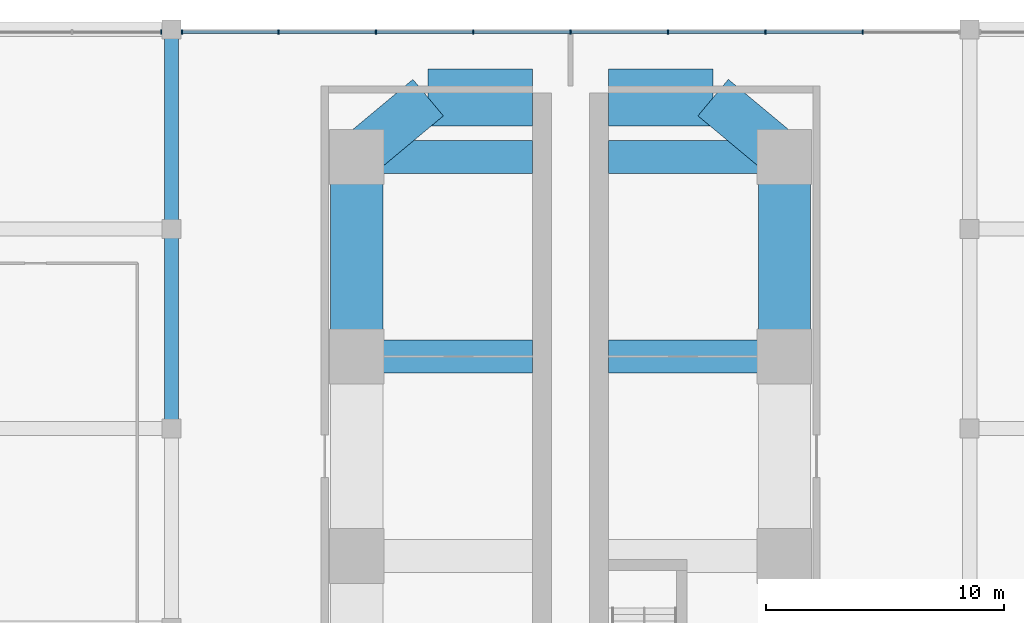
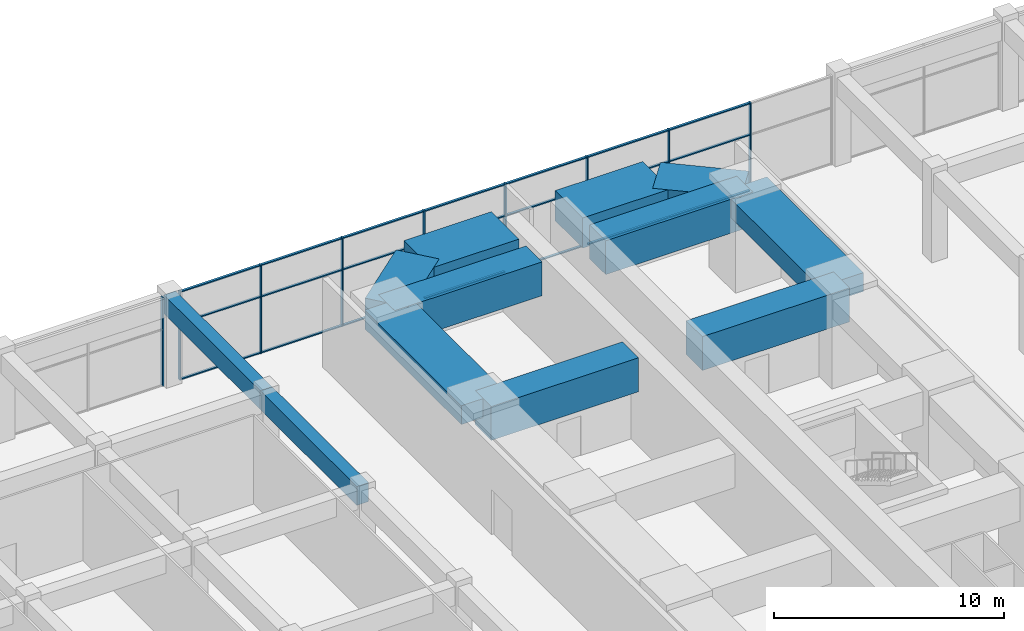
# One storey, part 20 of 34: 30 members, 12 beams, 2 elements without a shape of their own.
"""IFC4 building model written with IfcOpenShell, lengths in metres."""

from ifc_helpers import new_model, si_unit, direction, frame, origin, origin_2d, place, context, subcontext, project, spatial, rectangle, extrude, material, material_profile, profile_set, type_object, element, aggregate, save


model = new_model("IFC4")

# Units and contexts
model_context = context("Model", 3, precision=1e-05, world=origin(), true_north=direction((0.0, 1.0)))
body_context = subcontext(model_context, "Body", "Model", "MODEL_VIEW")
ifc_project = project(units=[si_unit("LENGTHUNIT", "METRE"), si_unit("AREAUNIT", "SQUARE_METRE"), si_unit("VOLUMEUNIT", "CUBIC_METRE"), si_unit("PLANEANGLEUNIT", "RADIAN"), si_unit("MASSUNIT", "GRAM", prefix="KILO")], contexts=[model_context])

# Site, building, storey
site_placement = place(None, origin())
site = spatial("IfcSite", under=ifc_project, at=site_placement, CompositionType="ELEMENT")
building_placement = place(site_placement, origin())
building = spatial("IfcBuilding", under=site, at=building_placement, Name="Impinga Residences", CompositionType="ELEMENT")
storey_placement = place(building_placement, frame((0.0, 0.0, 16.0)))
storey = spatial("IfcBuildingStorey", under=building, at=storey_placement, Name="L03", CompositionType="ELEMENT", Elevation=16.0)

# Beams
ifc_material_1 = material(Name="Concrete C60/75", Category="concrete")
ifc_material_profile_1 = material_profile(ifc_material_1, rectangle(XDim=2.0, YDim=1.60009765625, at=origin_2d()), Name="RC 2000x1600")
ifc_profile_set_1 = profile_set([ifc_material_profile_1], Name="Concrete C60/75")
beam_type_1 = type_object("IfcBeamType", Name="CB2 2000x1600 wing end cantilever beam", PredefinedType="BEAM", material=ifc_profile_set_1)
for number, where, z_axis, x_axis, name in (
    (1, (-9.0, 45.031494140625, 3.89990234375), (0.768221279597, 0.640184399664, 0.0), (-0.640184399664, 0.768221279597, 0.0), "Beam CB2 NB N5-NX level L04"),
    (2, (9.0, 45.031494140625, 3.89990234375), (-0.768221279597, 0.640184399664, 0.0), (-0.640184399664, -0.768221279597, 0.0), "Beam CB2 NE N5-NX level L04"),
):
    element("IfcBeam", number, at=place(storey_placement, frame(where, z_axis=z_axis, x_axis=x_axis)), inside=storey, type_object=beam_type_1, Name=name, PredefinedType="BEAM", context=body_context, shape_type="SweptSolid", body=[
        extrude(rectangle(XDim=2.0, YDim=1.60009765625, at=origin_2d()), origin(), (0.0, 0.0, 1.0), 3.905029296875),
    ])
ifc_material_profile_2 = material_profile(ifc_material_1, rectangle(XDim=1.39990234375, YDim=1.800048828125, at=origin_2d()), Name="RC 1400x1800")
ifc_profile_set_2 = profile_set([ifc_material_profile_2], Name="Concrete C60/75")
beam_type_2 = type_object("IfcBeamType", Name="CG4 1400x1800 cross girder on a wing bay line under the podium floors", PredefinedType="BEAM", material=ifc_profile_set_2)
for number, where, z_axis, x_axis, name in (
    (3, (-1.60009765625, 36.631591796875, 3.800048828125), (-1.0, 0.0, 0.0), (0.0, -1.0, 0.0), "Beam CG4 N4 NC/NA level L04"),
    (4, (-1.60009765625, 45.031494140625, 3.800048828125), (-1.0, 0.0, 0.0), (0.0, -1.0, 0.0), "Beam CG4 N5 NC/NA level L04"),
    (5, (1.60009765625, 36.631591796875, 3.800048828125), (1.0, 0.0, 0.0), (0.0, 1.0, 0.0), "Beam CG4 N4 NC/NF level L04"),
    (6, (1.60009765625, 45.031494140625, 3.800048828125), (1.0, 0.0, 0.0), (0.0, 1.0, 0.0), "Beam CG4 N5 NC/NF level L04"),
):
    element("IfcBeam", number, at=place(storey_placement, frame(where, z_axis=z_axis, x_axis=x_axis)), inside=storey, type_object=beam_type_2, Name=name, PredefinedType="BEAM", context=body_context, shape_type="SweptSolid", body=[
        extrude(rectangle(XDim=1.39990234375, YDim=1.800048828125, at=origin_2d()), origin(), (0.0, 0.0, 1.0), 7.39990234375),
    ])

# Curtain wall, member
ifc_material_2 = material(Name="Aluminium stick curtain wall", Category="aluminium")
curtain_wall_type = type_object("IfcCurtainWallType", Name="CW1 podium amenity curtain wall", PredefinedType="USERDEFINED", material=ifc_material_2)
curtain_wall_1_placement = place(storey_placement, origin())
curtain_wall_1 = element("IfcCurtainWall", 7, at=curtain_wall_1_placement, inside=storey, type_object=curtain_wall_type, Name="Curtain wall CW1 L03", ObjectType="STICK CURTAIN WALL", PredefinedType="USERDEFINED")
ifc_material_3 = material(Name="Aluminium mullion", Category="aluminium")
ifc_material_profile_3 = material_profile(ifc_material_3, rectangle(XDim=0.06005859375, YDim=0.179931640625, at=origin_2d()), Name="60x180 mullion")
ifc_profile_set_3 = profile_set([ifc_material_profile_3], Name="Aluminium mullion")
member_type_1 = type_object("IfcMemberType", Name="CW1-M mullion 60x180", PredefinedType="MULLION", material=ifc_profile_set_3)
member_1_placement = place(storey_placement, frame((-17.23291015625, 50.300048828125, 0.0), z_axis=(0.0, 0.0, 1.0), x_axis=(1.0, 0.0, 0.0)))
member_1 = element("IfcMember", 8, at=member_1_placement, type_object=member_type_1, Name="CW1 mullion 3", PredefinedType="MULLION", context=body_context, shape_type="SweptSolid", body=[
    extrude(rectangle(XDim=0.06005859375, YDim=0.179931640625, at=origin_2d()), origin(), (0.0, 0.0, 1.0), 4.699951171875),
])
aggregate(curtain_wall_1, [member_1])

# Curtain wall, members
curtain_wall_2_placement = place(storey_placement, origin())
curtain_wall_2 = element("IfcCurtainWall", 9, at=curtain_wall_2_placement, inside=storey, type_object=curtain_wall_type, Name="Curtain wall CW1 L03", ObjectType="STICK CURTAIN WALL", PredefinedType="USERDEFINED")
member_2_placement = place(storey_placement, frame((-16.366943359375, 50.300048828125, 0.0), z_axis=(0.0, 0.0, 1.0), x_axis=(1.0, 0.0, 0.0)))
member_2 = element("IfcMember", 10, at=member_2_placement, type_object=member_type_1, Name="CW1 mullion 1", PredefinedType="MULLION", context=body_context, shape_type="SweptSolid", body=[
    extrude(rectangle(XDim=0.06005859375, YDim=0.179931640625, at=origin_2d()), origin(), (0.0, 0.0, 1.0), 4.699951171875),
])
member_3_placement = place(storey_placement, frame((-12.2978515625, 50.300048828125, 0.0), z_axis=(0.0, 0.0, 1.0), x_axis=(1.0, 0.0, 0.0)))
member_3 = element("IfcMember", 11, at=member_3_placement, type_object=member_type_1, Name="CW1 mullion 2", PredefinedType="MULLION", context=body_context, shape_type="SweptSolid", body=[
    extrude(rectangle(XDim=0.06005859375, YDim=0.179931640625, at=origin_2d()), origin(), (0.0, 0.0, 1.0), 4.699951171875),
])
member_4_placement = place(storey_placement, frame((-8.198486328125, 50.300048828125, 0.0), z_axis=(0.0, 0.0, 1.0), x_axis=(1.0, 0.0, 0.0)))
member_4 = element("IfcMember", 12, at=member_4_placement, type_object=member_type_1, Name="CW1 mullion 3", PredefinedType="MULLION", context=body_context, shape_type="SweptSolid", body=[
    extrude(rectangle(XDim=0.06005859375, YDim=0.179931640625, at=origin_2d()), origin(), (0.0, 0.0, 1.0), 4.699951171875),
])
member_5_placement = place(storey_placement, frame((-4.099365234375, 50.300048828125, 0.0), z_axis=(0.0, 0.0, 1.0), x_axis=(1.0, 0.0, 0.0)))
member_5 = element("IfcMember", 13, at=member_5_placement, type_object=member_type_1, Name="CW1 mullion 4", PredefinedType="MULLION", context=body_context, shape_type="SweptSolid", body=[
    extrude(rectangle(XDim=0.06005859375, YDim=0.179931640625, at=origin_2d()), origin(), (0.0, 0.0, 1.0), 4.699951171875),
])
member_6_placement = place(storey_placement, frame((0.0, 50.300048828125, 0.0), z_axis=(0.0, 0.0, 1.0), x_axis=(1.0, 0.0, 0.0)))
member_6 = element("IfcMember", 14, at=member_6_placement, type_object=member_type_1, Name="CW1 mullion 5", PredefinedType="MULLION", context=body_context, shape_type="SweptSolid", body=[
    extrude(rectangle(XDim=0.06005859375, YDim=0.179931640625, at=origin_2d()), origin(), (0.0, 0.0, 1.0), 4.699951171875),
])
member_7_placement = place(storey_placement, frame((4.099365234375, 50.300048828125, 0.0), z_axis=(0.0, 0.0, 1.0), x_axis=(1.0, 0.0, 0.0)))
member_7 = element("IfcMember", 15, at=member_7_placement, type_object=member_type_1, Name="CW1 mullion 6", PredefinedType="MULLION", context=body_context, shape_type="SweptSolid", body=[
    extrude(rectangle(XDim=0.06005859375, YDim=0.179931640625, at=origin_2d()), origin(), (0.0, 0.0, 1.0), 4.699951171875),
])
member_8_placement = place(storey_placement, frame((8.198486328125, 50.300048828125, 0.0), z_axis=(0.0, 0.0, 1.0), x_axis=(1.0, 0.0, 0.0)))
member_8 = element("IfcMember", 16, at=member_8_placement, type_object=member_type_1, Name="CW1 mullion 7", PredefinedType="MULLION", context=body_context, shape_type="SweptSolid", body=[
    extrude(rectangle(XDim=0.06005859375, YDim=0.179931640625, at=origin_2d()), origin(), (0.0, 0.0, 1.0), 4.699951171875),
])
member_9_placement = place(storey_placement, frame((12.2978515625, 50.300048828125, 0.0), z_axis=(0.0, 0.0, 1.0), x_axis=(1.0, 0.0, 0.0)))
member_9 = element("IfcMember", 17, at=member_9_placement, type_object=member_type_1, Name="CW1 mullion 8", PredefinedType="MULLION", context=body_context, shape_type="SweptSolid", body=[
    extrude(rectangle(XDim=0.06005859375, YDim=0.179931640625, at=origin_2d()), origin(), (0.0, 0.0, 1.0), 4.699951171875),
])
ifc_material_4 = material(Name="Aluminium transom", Category="aluminium")
ifc_material_profile_4 = material_profile(ifc_material_4, rectangle(XDim=0.06005859375, YDim=0.1201171875, at=origin_2d()), Name="60x120 transom")
ifc_profile_set_4 = profile_set([ifc_material_profile_4], Name="Aluminium transom")
member_type_2 = type_object("IfcMemberType", Name="CW1-T transom 60x120", PredefinedType="USERDEFINED", material=ifc_profile_set_4)
member_10_placement = place(storey_placement, frame((-16.3369140625, 50.300048828125, 0.030029296875), z_axis=(1.0, 0.0, 0.0), x_axis=(0.0, 0.0, 1.0)))
member_10 = element("IfcMember", 18, at=member_10_placement, type_object=member_type_2, Name="CW1 transom 1.1", ObjectType="TRANSOM", PredefinedType="USERDEFINED", context=body_context, shape_type="SweptSolid", body=[
    extrude(rectangle(XDim=0.06005859375, YDim=0.1201171875, at=origin_2d()), origin(), (0.0, 0.0, 1.0), 4.00927734375),
])
member_11_placement = place(storey_placement, frame((-16.3369140625, 50.300048828125, 3.0), z_axis=(1.0, 0.0, 0.0), x_axis=(0.0, 0.0, 1.0)))
member_11 = element("IfcMember", 19, at=member_11_placement, type_object=member_type_2, Name="CW1 transom 1.2", ObjectType="TRANSOM", PredefinedType="USERDEFINED", context=body_context, shape_type="SweptSolid", body=[
    extrude(rectangle(XDim=0.06005859375, YDim=0.1201171875, at=origin_2d()), origin(), (0.0, 0.0, 1.0), 4.00927734375),
])
member_12_placement = place(storey_placement, frame((-16.3369140625, 50.300048828125, 4.669921875), z_axis=(1.0, 0.0, 0.0), x_axis=(0.0, 0.0, 1.0)))
member_12 = element("IfcMember", 20, at=member_12_placement, type_object=member_type_2, Name="CW1 transom 1.3", ObjectType="TRANSOM", PredefinedType="USERDEFINED", context=body_context, shape_type="SweptSolid", body=[
    extrude(rectangle(XDim=0.06005859375, YDim=0.1201171875, at=origin_2d()), origin(), (0.0, 0.0, 1.0), 4.00927734375),
])
member_13_placement = place(storey_placement, frame((-12.267822265625, 50.300048828125, 0.030029296875), z_axis=(1.0, 0.0, 0.0), x_axis=(0.0, 0.0, 1.0)))
member_13 = element("IfcMember", 21, at=member_13_placement, type_object=member_type_2, Name="CW1 transom 2.1", ObjectType="TRANSOM", PredefinedType="USERDEFINED", context=body_context, shape_type="SweptSolid", body=[
    extrude(rectangle(XDim=0.06005859375, YDim=0.1201171875, at=origin_2d()), origin(), (0.0, 0.0, 1.0), 4.039306640625),
])
member_14_placement = place(storey_placement, frame((-12.267822265625, 50.300048828125, 3.0), z_axis=(1.0, 0.0, 0.0), x_axis=(0.0, 0.0, 1.0)))
member_14 = element("IfcMember", 22, at=member_14_placement, type_object=member_type_2, Name="CW1 transom 2.2", ObjectType="TRANSOM", PredefinedType="USERDEFINED", context=body_context, shape_type="SweptSolid", body=[
    extrude(rectangle(XDim=0.06005859375, YDim=0.1201171875, at=origin_2d()), origin(), (0.0, 0.0, 1.0), 4.039306640625),
])
member_15_placement = place(storey_placement, frame((-12.267822265625, 50.300048828125, 4.669921875), z_axis=(1.0, 0.0, 0.0), x_axis=(0.0, 0.0, 1.0)))
member_15 = element("IfcMember", 23, at=member_15_placement, type_object=member_type_2, Name="CW1 transom 2.3", ObjectType="TRANSOM", PredefinedType="USERDEFINED", context=body_context, shape_type="SweptSolid", body=[
    extrude(rectangle(XDim=0.06005859375, YDim=0.1201171875, at=origin_2d()), origin(), (0.0, 0.0, 1.0), 4.039306640625),
])
member_16_placement = place(storey_placement, frame((-8.16845703125, 50.300048828125, 0.030029296875), z_axis=(1.0, 0.0, 0.0), x_axis=(0.0, 0.0, 1.0)))
member_16 = element("IfcMember", 24, at=member_16_placement, type_object=member_type_2, Name="CW1 transom 3.1", ObjectType="TRANSOM", PredefinedType="USERDEFINED", context=body_context, shape_type="SweptSolid", body=[
    extrude(rectangle(XDim=0.06005859375, YDim=0.1201171875, at=origin_2d()), origin(), (0.0, 0.0, 1.0), 4.039306640625),
])
member_17_placement = place(storey_placement, frame((-8.16845703125, 50.300048828125, 3.0), z_axis=(1.0, 0.0, 0.0), x_axis=(0.0, 0.0, 1.0)))
member_17 = element("IfcMember", 25, at=member_17_placement, type_object=member_type_2, Name="CW1 transom 3.2", ObjectType="TRANSOM", PredefinedType="USERDEFINED", context=body_context, shape_type="SweptSolid", body=[
    extrude(rectangle(XDim=0.06005859375, YDim=0.1201171875, at=origin_2d()), origin(), (0.0, 0.0, 1.0), 4.039306640625),
])
member_18_placement = place(storey_placement, frame((-8.16845703125, 50.300048828125, 4.669921875), z_axis=(1.0, 0.0, 0.0), x_axis=(0.0, 0.0, 1.0)))
member_18 = element("IfcMember", 26, at=member_18_placement, type_object=member_type_2, Name="CW1 transom 3.3", ObjectType="TRANSOM", PredefinedType="USERDEFINED", context=body_context, shape_type="SweptSolid", body=[
    extrude(rectangle(XDim=0.06005859375, YDim=0.1201171875, at=origin_2d()), origin(), (0.0, 0.0, 1.0), 4.039306640625),
])
member_19_placement = place(storey_placement, frame((-4.0693359375, 50.300048828125, 0.030029296875), z_axis=(1.0, 0.0, 0.0), x_axis=(0.0, 0.0, 1.0)))
member_19 = element("IfcMember", 27, at=member_19_placement, type_object=member_type_2, Name="CW1 transom 4.1", ObjectType="TRANSOM", PredefinedType="USERDEFINED", context=body_context, shape_type="SweptSolid", body=[
    extrude(rectangle(XDim=0.06005859375, YDim=0.1201171875, at=origin_2d()), origin(), (0.0, 0.0, 1.0), 4.039306640625),
])
member_20_placement = place(storey_placement, frame((-4.0693359375, 50.300048828125, 3.0), z_axis=(1.0, 0.0, 0.0), x_axis=(0.0, 0.0, 1.0)))
member_20 = element("IfcMember", 28, at=member_20_placement, type_object=member_type_2, Name="CW1 transom 4.2", ObjectType="TRANSOM", PredefinedType="USERDEFINED", context=body_context, shape_type="SweptSolid", body=[
    extrude(rectangle(XDim=0.06005859375, YDim=0.1201171875, at=origin_2d()), origin(), (0.0, 0.0, 1.0), 4.039306640625),
])
member_21_placement = place(storey_placement, frame((-4.0693359375, 50.300048828125, 4.669921875), z_axis=(1.0, 0.0, 0.0), x_axis=(0.0, 0.0, 1.0)))
member_21 = element("IfcMember", 29, at=member_21_placement, type_object=member_type_2, Name="CW1 transom 4.3", ObjectType="TRANSOM", PredefinedType="USERDEFINED", context=body_context, shape_type="SweptSolid", body=[
    extrude(rectangle(XDim=0.06005859375, YDim=0.1201171875, at=origin_2d()), origin(), (0.0, 0.0, 1.0), 4.039306640625),
])
member_22_placement = place(storey_placement, frame((0.030029296875, 50.300048828125, 0.030029296875), z_axis=(1.0, 0.0, 0.0), x_axis=(0.0, 0.0, 1.0)))
member_22 = element("IfcMember", 30, at=member_22_placement, type_object=member_type_2, Name="CW1 transom 5.1", ObjectType="TRANSOM", PredefinedType="USERDEFINED", context=body_context, shape_type="SweptSolid", body=[
    extrude(rectangle(XDim=0.06005859375, YDim=0.1201171875, at=origin_2d()), origin(), (0.0, 0.0, 1.0), 4.039306640625),
])
member_23_placement = place(storey_placement, frame((0.030029296875, 50.300048828125, 3.0), z_axis=(1.0, 0.0, 0.0), x_axis=(0.0, 0.0, 1.0)))
member_23 = element("IfcMember", 31, at=member_23_placement, type_object=member_type_2, Name="CW1 transom 5.2", ObjectType="TRANSOM", PredefinedType="USERDEFINED", context=body_context, shape_type="SweptSolid", body=[
    extrude(rectangle(XDim=0.06005859375, YDim=0.1201171875, at=origin_2d()), origin(), (0.0, 0.0, 1.0), 4.039306640625),
])
member_24_placement = place(storey_placement, frame((0.030029296875, 50.300048828125, 4.669921875), z_axis=(1.0, 0.0, 0.0), x_axis=(0.0, 0.0, 1.0)))
member_24 = element("IfcMember", 32, at=member_24_placement, type_object=member_type_2, Name="CW1 transom 5.3", ObjectType="TRANSOM", PredefinedType="USERDEFINED", context=body_context, shape_type="SweptSolid", body=[
    extrude(rectangle(XDim=0.06005859375, YDim=0.1201171875, at=origin_2d()), origin(), (0.0, 0.0, 1.0), 4.039306640625),
])
member_25_placement = place(storey_placement, frame((4.129150390625, 50.300048828125, 0.030029296875), z_axis=(1.0, 0.0, 0.0), x_axis=(0.0, 0.0, 1.0)))
member_25 = element("IfcMember", 33, at=member_25_placement, type_object=member_type_2, Name="CW1 transom 6.1", ObjectType="TRANSOM", PredefinedType="USERDEFINED", context=body_context, shape_type="SweptSolid", body=[
    extrude(rectangle(XDim=0.06005859375, YDim=0.1201171875, at=origin_2d()), origin(), (0.0, 0.0, 1.0), 4.039306640625),
])
member_26_placement = place(storey_placement, frame((4.129150390625, 50.300048828125, 3.0), z_axis=(1.0, 0.0, 0.0), x_axis=(0.0, 0.0, 1.0)))
member_26 = element("IfcMember", 34, at=member_26_placement, type_object=member_type_2, Name="CW1 transom 6.2", ObjectType="TRANSOM", PredefinedType="USERDEFINED", context=body_context, shape_type="SweptSolid", body=[
    extrude(rectangle(XDim=0.06005859375, YDim=0.1201171875, at=origin_2d()), origin(), (0.0, 0.0, 1.0), 4.039306640625),
])
member_27_placement = place(storey_placement, frame((4.129150390625, 50.300048828125, 4.669921875), z_axis=(1.0, 0.0, 0.0), x_axis=(0.0, 0.0, 1.0)))
member_27 = element("IfcMember", 35, at=member_27_placement, type_object=member_type_2, Name="CW1 transom 6.3", ObjectType="TRANSOM", PredefinedType="USERDEFINED", context=body_context, shape_type="SweptSolid", body=[
    extrude(rectangle(XDim=0.06005859375, YDim=0.1201171875, at=origin_2d()), origin(), (0.0, 0.0, 1.0), 4.039306640625),
])
member_28_placement = place(storey_placement, frame((8.228515625, 50.300048828125, 0.030029296875), z_axis=(1.0, 0.0, 0.0), x_axis=(0.0, 0.0, 1.0)))
member_28 = element("IfcMember", 36, at=member_28_placement, type_object=member_type_2, Name="CW1 transom 7.1", ObjectType="TRANSOM", PredefinedType="USERDEFINED", context=body_context, shape_type="SweptSolid", body=[
    extrude(rectangle(XDim=0.06005859375, YDim=0.1201171875, at=origin_2d()), origin(), (0.0, 0.0, 1.0), 4.039306640625),
])
member_29_placement = place(storey_placement, frame((8.228515625, 50.300048828125, 3.0), z_axis=(1.0, 0.0, 0.0), x_axis=(0.0, 0.0, 1.0)))
member_29 = element("IfcMember", 37, at=member_29_placement, type_object=member_type_2, Name="CW1 transom 7.2", ObjectType="TRANSOM", PredefinedType="USERDEFINED", context=body_context, shape_type="SweptSolid", body=[
    extrude(rectangle(XDim=0.06005859375, YDim=0.1201171875, at=origin_2d()), origin(), (0.0, 0.0, 1.0), 4.039306640625),
])
member_30_placement = place(storey_placement, frame((8.228515625, 50.300048828125, 4.669921875), z_axis=(1.0, 0.0, 0.0), x_axis=(0.0, 0.0, 1.0)))
member_30 = element("IfcMember", 38, at=member_30_placement, type_object=member_type_2, Name="CW1 transom 7.3", ObjectType="TRANSOM", PredefinedType="USERDEFINED", context=body_context, shape_type="SweptSolid", body=[
    extrude(rectangle(XDim=0.06005859375, YDim=0.1201171875, at=origin_2d()), origin(), (0.0, 0.0, 1.0), 4.039306640625),
])
aggregate(curtain_wall_2, [member_2, member_3, member_4, member_5, member_6, member_7, member_8, member_9, member_10, member_11, member_12, member_13, member_14, member_15, member_16, member_17, member_18, member_19, member_20, member_21, member_22, member_23, member_24, member_25, member_26, member_27, member_28, member_29, member_30])

# Beams
ifc_material_profile_5 = material_profile(ifc_material_1, rectangle(XDim=2.39990234375, YDim=1.60009765625, at=origin_2d()), Name="RC 2400x1600")
ifc_profile_set_5 = profile_set([ifc_material_profile_5], Name="Concrete C60/75")
beam_type_3 = type_object("IfcBeamType", Name="EB2 2400x1600 wing end beam", PredefinedType="BEAM", material=ifc_profile_set_5)
for number, where, z_axis, x_axis, name in (
    (39, (-6.0, 47.531494140625, 3.89990234375), (1.0, 0.0, 0.0), (0.0, 1.0, 0.0), "Beam EB2 NX4 level L04"),
    (40, (1.60009765625, 47.531494140625, 3.89990234375), (1.0, 0.0, 0.0), (0.0, 1.0, 0.0), "Beam EB2 NX4 level L04"),
):
    element("IfcBeam", number, at=place(storey_placement, frame(where, z_axis=z_axis, x_axis=x_axis)), inside=storey, type_object=beam_type_3, Name=name, PredefinedType="BEAM", context=body_context, shape_type="SweptSolid", body=[
        extrude(rectangle(XDim=2.39990234375, YDim=1.60009765625, at=origin_2d()), origin(), (0.0, 0.0, 1.0), 4.39990234375),
    ])
ifc_material_profile_6 = material_profile(ifc_material_1, rectangle(XDim=0.60009765625, YDim=1.0, at=origin_2d()), Name="RC 600x1000")
ifc_profile_set_6 = profile_set([ifc_material_profile_6], Name="Concrete C60/75")
beam_type_4 = type_object("IfcBeamType", Name="PB2 600x1000 podium beam", PredefinedType="BEAM", material=ifc_profile_set_6)
for number, where, z_axis, x_axis, name in (
    (41, (-16.800048828125, 33.60009765625, 4.199951171875), (0.0, 1.0, 0.0), (-1.0, 0.0, 0.0), "Beam PB2 5/K-L level L04"),
    (42, (-16.800048828125, 42.0, 4.199951171875), (0.0, 1.0, 0.0), (-1.0, 0.0, 0.0), "Beam PB2 5/L-M level L04"),
):
    element("IfcBeam", number, at=place(storey_placement, frame(where, z_axis=z_axis, x_axis=x_axis)), inside=storey, type_object=beam_type_4, Name=name, PredefinedType="BEAM", context=body_context, shape_type="SweptSolid", body=[
        extrude(rectangle(XDim=0.60009765625, YDim=1.0, at=origin_2d()), origin(), (0.0, 0.0, 1.0), 8.39990234375),
    ])
ifc_material_profile_7 = material_profile(ifc_material_1, rectangle(XDim=2.199951171875, YDim=1.0, at=origin_2d()), Name="RC 2200x1000")
ifc_profile_set_7 = profile_set([ifc_material_profile_7], Name="Concrete C60/75")
beam_type_5 = type_object("IfcBeamType", Name="PB3 2200x1000 podium band beam", PredefinedType="BEAM", material=ifc_profile_set_7)
for number, where, z_axis, x_axis, name in (
    (43, (-9.0, 36.631591796875, 4.199951171875), (0.0, 1.0, 0.0), (-1.0, 0.0, 0.0), "Beam PB3 NA N4-N5 level L04"),
    (44, (9.0, 36.631591796875, 4.199951171875), (0.0, 1.0, 0.0), (-1.0, 0.0, 0.0), "Beam PB3 NF N4-N5 level L04"),
):
    element("IfcBeam", number, at=place(storey_placement, frame(where, z_axis=z_axis, x_axis=x_axis)), inside=storey, type_object=beam_type_5, Name=name, PredefinedType="BEAM", context=body_context, shape_type="SweptSolid", body=[
        extrude(rectangle(XDim=2.199951171875, YDim=1.0, at=origin_2d()), origin(), (0.0, 0.0, 1.0), 8.39990234375),
    ])

save(model, "model.ifc")
